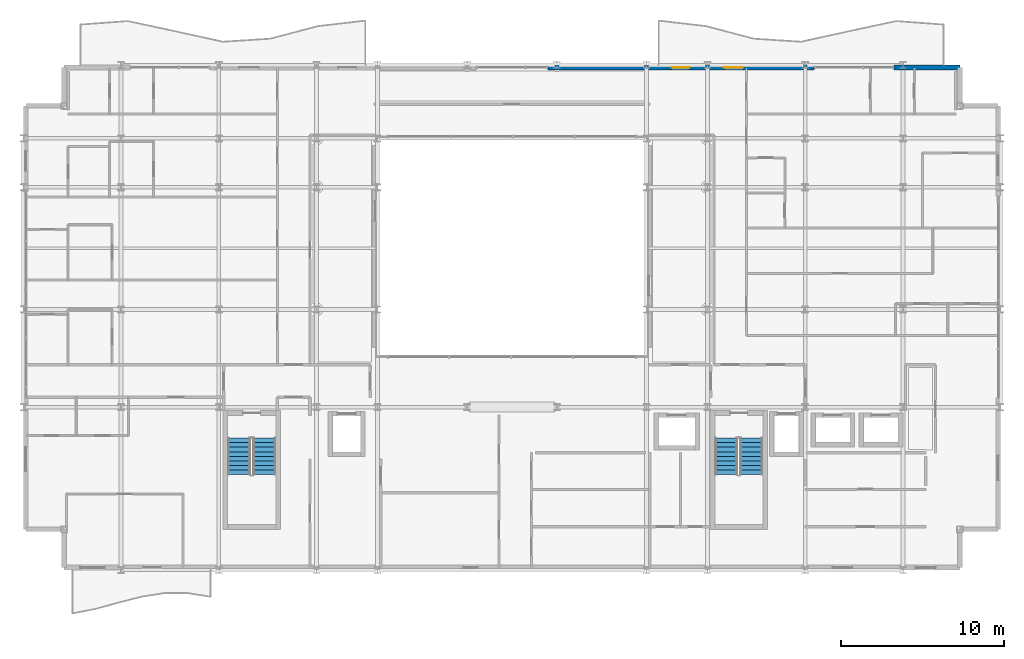
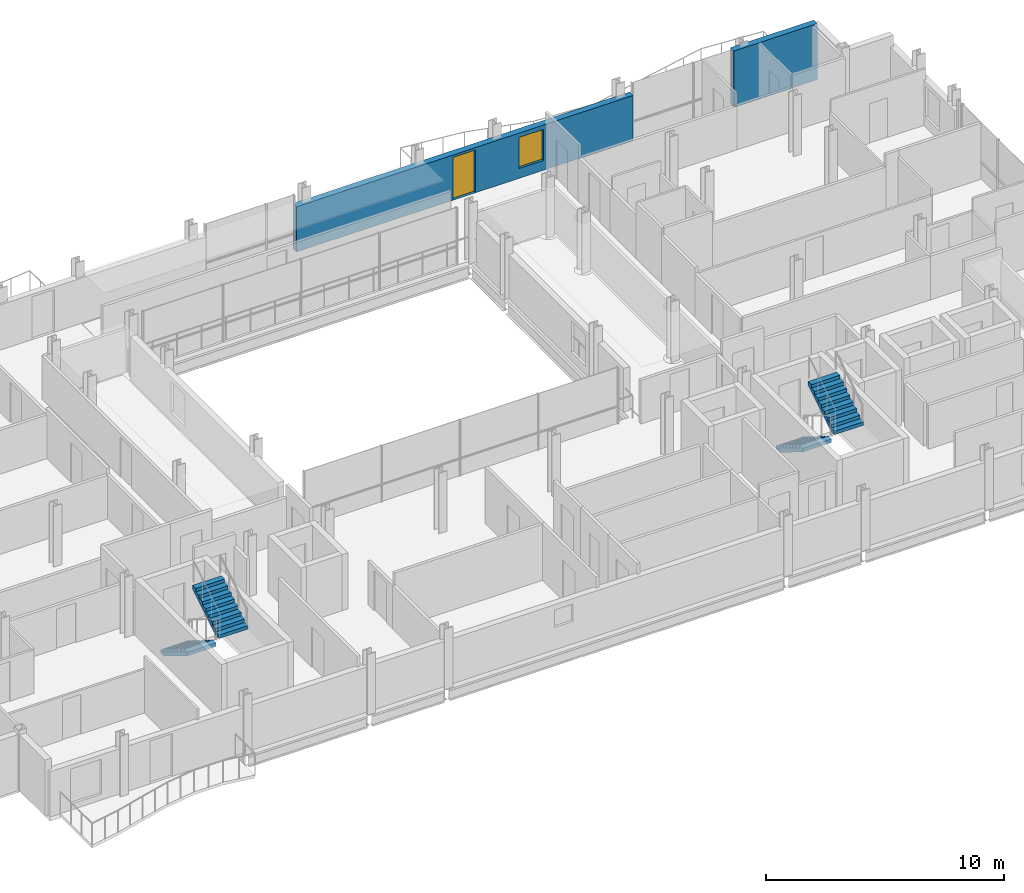
# One storey, part 38 of 41: 4 stair flights, 2 walls, 1 door, 1 window, 2 openings, 2 elements without a shape of their own.
"""IFC4 building model written with IfcOpenShell, lengths in metres."""

from ifc_helpers import new_model, si_unit, direction, frame, frame_2d, origin, place, context, subcontext, project, spatial, polyline, rectangle, outline, extrude, material, layer, layer_set, type_object, element, fill, aggregate, save


model = new_model("IFC4")

# Units and contexts
model_context = context("Model", 3, precision=1e-05, world=origin(), true_north=direction((0.0, 1.0)))
body_context = subcontext(model_context, "Body", "Model", "MODEL_VIEW")
ifc_project = project(units=[si_unit("LENGTHUNIT", "METRE"), si_unit("AREAUNIT", "SQUARE_METRE"), si_unit("VOLUMEUNIT", "CUBIC_METRE"), si_unit("PLANEANGLEUNIT", "RADIAN"), si_unit("MASSUNIT", "GRAM", prefix="KILO")], contexts=[model_context])

# Site, building, storey
site_placement = place(None, origin())
site = spatial("IfcSite", under=ifc_project, at=site_placement, CompositionType="ELEMENT")
building_placement = place(site_placement, origin())
building = spatial("IfcBuilding", under=site, at=building_placement, Name="Brevholm Reach", CompositionType="ELEMENT")
storey_placement = place(building_placement, frame((0.0, 0.0, 151.10009765625)))
storey = spatial("IfcBuildingStorey", under=building, at=storey_placement, Name="L45", CompositionType="ELEMENT", Elevation=151.10009765625)

# Wall
ifc_material_1 = material(Name="Concrete C40/50", Category="concrete")
ifc_layer_1 = layer(ifc_material_1, 0.300048828125)
ifc_layer_set_1 = layer_set([ifc_layer_1], Name="Concrete C40/50")
wall_type = type_object("IfcWallType", Name="WAL-EXT-300", PredefinedType="STANDARD", material=ifc_layer_set_1)
wall_1_placement = place(storey_placement, frame((53.449951171875, 30.85009765625, 0.0), z_axis=(0.0, 0.0, 1.0), x_axis=(1.0, 0.0, 0.0)))
element("IfcWall", 1, at=wall_1_placement, inside=storey, type_object=wall_type, Name="L45 Facade Wall WAL-L45-NP-E0", PredefinedType="STANDARD", context=body_context, shape_type="SweptSolid", body=[
    extrude(rectangle(XDim=4.050048828125, YDim=0.300048828125, at=frame_2d((2.02490234375, 0.0))), origin(), (0.0, 0.0, 1.0), 2.8798828125),
])

# Wall, openings, door, window
wall_2_placement = place(storey_placement, frame((32.199951171875, 30.85009765625, 0.0), z_axis=(0.0, 0.0, 1.0), x_axis=(1.0, 0.0, 0.0)))
wall_2 = element("IfcWall", 2, at=wall_2_placement, inside=storey, type_object=wall_type, Name="L45 Facade Wall WAL-L45-NP-ER", PredefinedType="STANDARD", context=body_context, shape_type="SweptSolid", body=[
    extrude(rectangle(XDim=16.35009765625, YDim=0.300048828125, at=frame_2d((8.175048828125, 0.0))), origin(), (0.0, 0.0, 1.0), 2.32177734375),
])
opening_1_placement = place(wall_2_placement, frame((7.60009765625, 0.0, 0.0)))
opening_1 = element("IfcOpeningElement", 3, at=opening_1_placement, cuts=wall_2, Name="Opening BD-01", PredefinedType="OPENING", context=body_context, shape_type="SweptSolid", body=[
    extrude(rectangle(XDim=1.10009765625, YDim=2.199951171875, at=frame_2d((0.550048828125, 1.10009765625))), frame((0.0, 0.159912109375, 0.0), z_axis=(0.0, -1.0, 0.0), x_axis=(1.0, 0.0, 0.0)), (0.0, 0.0, 1.0), 0.320068359375),
])
opening_2_placement = place(wall_2_placement, frame((10.800048828125, 0.0, 0.501953125)))
opening_2 = element("IfcOpeningElement", 4, at=opening_2_placement, cuts=wall_2, Name="Opening WN-08", PredefinedType="OPENING", context=body_context, shape_type="SweptSolid", body=[
    extrude(rectangle(XDim=1.199951171875, YDim=1.60009765625, at=frame_2d((0.60009765625, 0.800048828125))), frame((0.0, 0.159912109375, 0.0), z_axis=(0.0, -1.0, 0.0), x_axis=(1.0, 0.0, 0.0)), (0.0, 0.0, 1.0), 0.320068359375),
])
ifc_material_2 = material(Name="Dark Anodised Aluminium and Triple-Glazed Glass", Category="aluminium")
door_type = type_object("IfcDoorType", Name="DOR-BALC-1100", OperationType="NOTDEFINED", PredefinedType="DOOR", material=ifc_material_2)
door_placement = place(opening_1_placement, origin())
door = element("IfcDoor", 5, at=door_placement, inside=storey, type_object=door_type, Name="L45 Exterior Door DOR-L45-BL-NE", OperationType="SINGLE_SWING_LEFT", OverallHeight=2.199951171875, OverallWidth=1.10009765625, PredefinedType="DOOR", context=body_context, shape_type="SweptSolid", body=[
    extrude(rectangle(XDim=1.10009765625, YDim=2.199951171875, at=frame_2d((0.550048828125, 1.10009765625))), frame((0.0, 0.02490234375, 0.0), z_axis=(0.0, -1.0, 0.0), x_axis=(1.0, 0.0, 0.0)), (0.0, 0.0, 1.0), 0.050048828125),
])
fill(opening_1, door)
ifc_material_3 = material(Name="Dark Anodised Aluminium and Solar-Control IGU Glass", Category="aluminium")
window_type = type_object("IfcWindowType", Name="WIN-RES-1200", PartitioningType="SINGLE_PANEL", PredefinedType="WINDOW", material=ifc_material_3)
window_placement = place(opening_2_placement, origin())
window = element("IfcWindow", 6, at=window_placement, inside=storey, type_object=window_type, Name="L45 Window WIN-L45-NP-ER1", OverallHeight=1.60009765625, OverallWidth=1.199951171875, PartitioningType="SINGLE_PANEL", PredefinedType="WINDOW", context=body_context, shape_type="SweptSolid", body=[
    extrude(rectangle(XDim=1.199951171875, YDim=1.60009765625, at=frame_2d((0.60009765625, 0.800048828125))), frame((0.0, 0.030029296875, 0.0), z_axis=(0.0, -1.0, 0.0), x_axis=(1.0, 0.0, 0.0)), (0.0, 0.0, 1.0), 0.06005859375),
])
fill(opening_2, window)

# Stair, stair flights
ifc_material_4 = material(Name="Precast Concrete C40/50", Category="concrete")
stair_type = type_object("IfcStairType", Name="STR-ESC-1400", PredefinedType="DOUBLE_RETURN_STAIR", material=ifc_material_4)
stair_1_placement = place(storey_placement, origin())
stair_1 = element("IfcStair", 7, at=stair_1_placement, inside=storey, type_object=stair_type, Name="L45 ST-1", PredefinedType="DOUBLE_RETURN_STAIR")
ifc_material_5 = material(Name="Precast Concrete C40/50", Category="concrete")
ifc_layer_2 = layer(ifc_material_5, 0.18505859375)
ifc_layer_set_2 = layer_set([ifc_layer_2], Name="Precast Concrete C40/50")
stair_flight_type = type_object("IfcStairFlightType", Name="STF-PRC-185", PredefinedType="STRAIGHT", material=ifc_layer_set_2)
stair_flight_1_placement = place(storey_placement, frame((13.25, 8.10009765625, 0.0), z_axis=(0.0, 0.0, 1.0), x_axis=(0.0, -1.0, 0.0)))
stair_flight_1 = element("IfcStairFlight", 8, at=stair_flight_1_placement, type_object=stair_flight_type, Name="ST-1 flight 1", NumberOfRisers=9, NumberOfTreads=8, PredefinedType="STRAIGHT", RiserHeight=0.172222222, TreadLength=0.28, context=body_context, shape_type="SweptSolid", body=[
    extrude(outline(polyline([(0.0, 0.0), (0.0, 0.172119140625), (0.280029296875, 0.172119140625), (0.280029296875, 0.344482421875), (0.56005859375, 0.344482421875), (0.56005859375, 0.5166015625), (0.840087890625, 0.5166015625), (0.840087890625, 0.68896484375), (1.1201171875, 0.68896484375), (1.1201171875, 0.861083984375), (1.39990234375, 0.861083984375), (1.39990234375, 1.033447265625), (1.679931640625, 1.033447265625), (1.679931640625, 1.20556640625), (1.9599609375, 1.20556640625), (1.9599609375, 1.377685546875), (2.239990234375, 1.377685546875), (2.239990234375, 1.550048828125), (2.239990234375, 1.201904296875), (0.2861328125, 0.0), (0.0, 0.0)])), frame((0.0, 0.699951171875, 0.0), z_axis=(0.0, -1.0, 0.0), x_axis=(1.0, 0.0, 0.0)), (0.0, 0.0, 1.0), 1.39990234375),
])
stair_flight_2_placement = place(storey_placement, frame((14.800048828125, 5.860107421875, 1.5498046875), z_axis=(0.0, 0.0, 1.0), x_axis=(0.0, 1.0, 0.0)))
stair_flight_2 = element("IfcStairFlight", 9, at=stair_flight_2_placement, type_object=stair_flight_type, Name="ST-1 flight 2", NumberOfRisers=9, NumberOfTreads=8, PredefinedType="STRAIGHT", RiserHeight=0.172222222, TreadLength=0.28, context=body_context, shape_type="SweptSolid", body=[
    extrude(outline(polyline([(0.0, 0.0), (0.0, 0.172119140625), (0.280029296875, 0.172119140625), (0.280029296875, 0.344482421875), (0.56005859375, 0.344482421875), (0.56005859375, 0.5166015625), (0.840087890625, 0.5166015625), (0.840087890625, 0.68896484375), (1.1201171875, 0.68896484375), (1.1201171875, 0.861083984375), (1.39990234375, 0.861083984375), (1.39990234375, 1.033447265625), (1.679931640625, 1.033447265625), (1.679931640625, 1.20556640625), (1.9599609375, 1.20556640625), (1.9599609375, 1.377685546875), (2.239990234375, 1.377685546875), (2.239990234375, 1.550048828125), (2.239990234375, 1.201904296875), (0.2861328125, 0.0), (0.0, 0.0)])), frame((0.0, 0.699951171875, 0.0), z_axis=(0.0, -1.0, 0.0), x_axis=(1.0, 0.0, 0.0)), (0.0, 0.0, 1.0), 1.39990234375),
])
aggregate(stair_1, [stair_flight_1, stair_flight_2])

stair_2_placement = place(storey_placement, origin())
stair_2 = element("IfcStair", 10, at=stair_2_placement, inside=storey, type_object=stair_type, Name="L45 ST-2", PredefinedType="DOUBLE_RETURN_STAIR")
stair_flight_3_placement = place(storey_placement, frame((43.14990234375, 8.10009765625, 0.0), z_axis=(0.0, 0.0, 1.0), x_axis=(0.0, -1.0, 0.0)))
stair_flight_3 = element("IfcStairFlight", 11, at=stair_flight_3_placement, type_object=stair_flight_type, Name="ST-2 flight 1", NumberOfRisers=9, NumberOfTreads=8, PredefinedType="STRAIGHT", RiserHeight=0.172222222, TreadLength=0.28, context=body_context, shape_type="SweptSolid", body=[
    extrude(outline(polyline([(0.0, 0.0), (0.0, 0.172119140625), (0.280029296875, 0.172119140625), (0.280029296875, 0.344482421875), (0.56005859375, 0.344482421875), (0.56005859375, 0.5166015625), (0.840087890625, 0.5166015625), (0.840087890625, 0.68896484375), (1.1201171875, 0.68896484375), (1.1201171875, 0.861083984375), (1.39990234375, 0.861083984375), (1.39990234375, 1.033447265625), (1.679931640625, 1.033447265625), (1.679931640625, 1.20556640625), (1.9599609375, 1.20556640625), (1.9599609375, 1.377685546875), (2.239990234375, 1.377685546875), (2.239990234375, 1.550048828125), (2.239990234375, 1.201904296875), (0.2861328125, 0.0), (0.0, 0.0)])), frame((0.0, 0.699951171875, 0.0), z_axis=(0.0, -1.0, 0.0), x_axis=(1.0, 0.0, 0.0)), (0.0, 0.0, 1.0), 1.39990234375),
])
stair_flight_4_placement = place(storey_placement, frame((44.699951171875, 5.860107421875, 1.5498046875), z_axis=(0.0, 0.0, 1.0), x_axis=(0.0, 1.0, 0.0)))
stair_flight_4 = element("IfcStairFlight", 12, at=stair_flight_4_placement, type_object=stair_flight_type, Name="ST-2 flight 2", NumberOfRisers=9, NumberOfTreads=8, PredefinedType="STRAIGHT", RiserHeight=0.172222222, TreadLength=0.28, context=body_context, shape_type="SweptSolid", body=[
    extrude(outline(polyline([(0.0, 0.0), (0.0, 0.172119140625), (0.280029296875, 0.172119140625), (0.280029296875, 0.344482421875), (0.56005859375, 0.344482421875), (0.56005859375, 0.5166015625), (0.840087890625, 0.5166015625), (0.840087890625, 0.68896484375), (1.1201171875, 0.68896484375), (1.1201171875, 0.861083984375), (1.39990234375, 0.861083984375), (1.39990234375, 1.033447265625), (1.679931640625, 1.033447265625), (1.679931640625, 1.20556640625), (1.9599609375, 1.20556640625), (1.9599609375, 1.377685546875), (2.239990234375, 1.377685546875), (2.239990234375, 1.550048828125), (2.239990234375, 1.201904296875), (0.2861328125, 0.0), (0.0, 0.0)])), frame((0.0, 0.699951171875, 0.0), z_axis=(0.0, -1.0, 0.0), x_axis=(1.0, 0.0, 0.0)), (0.0, 0.0, 1.0), 1.39990234375),
])
aggregate(stair_2, [stair_flight_3, stair_flight_4])

save(model, "model.ifc")
